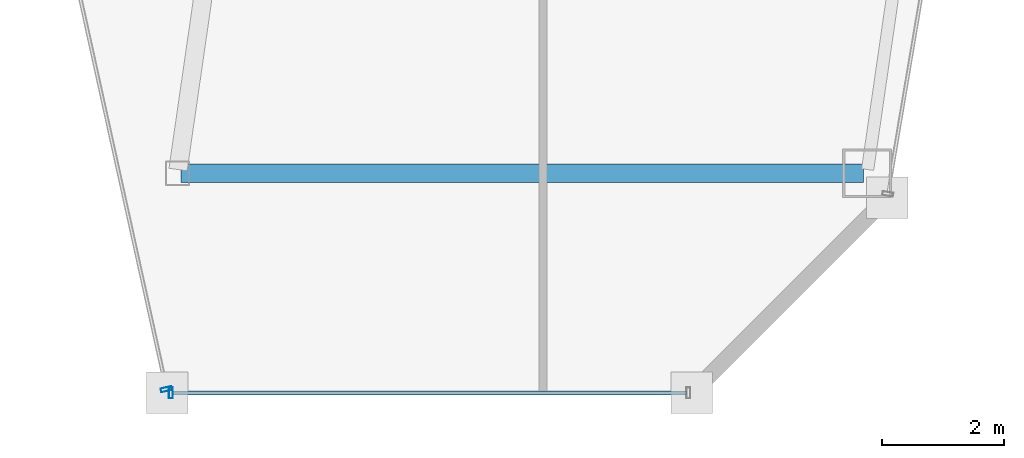
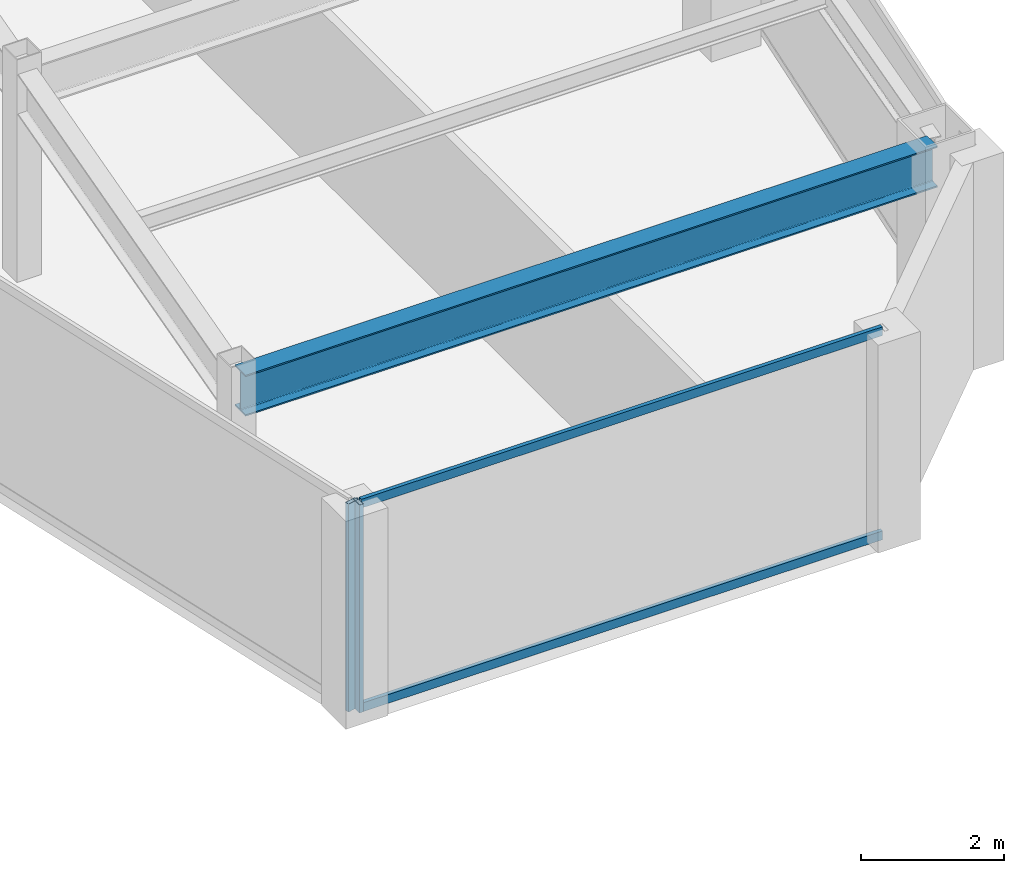
# One storey, part 16 of 35: 4 members, 1 beam, 2 elements without a shape of their own.
"""IFC4 building model written with IfcOpenShell, lengths in metres."""

from ifc_helpers import new_model, si_unit, direction, frame, origin, origin_2d, place, context, subcontext, project, spatial, hollow_rectangle, i_section, extrude, material, material_profile, profile_set, type_object, element, aggregate, save


model = new_model("IFC4")

# Units and contexts
model_context = context("Model", 3, precision=1e-05, world=origin(), true_north=direction((0.0, 1.0)))
body_context = subcontext(model_context, "Body", "Model", "MODEL_VIEW")
ifc_project = project(units=[si_unit("LENGTHUNIT", "METRE"), si_unit("AREAUNIT", "SQUARE_METRE"), si_unit("VOLUMEUNIT", "CUBIC_METRE"), si_unit("PLANEANGLEUNIT", "RADIAN"), si_unit("MASSUNIT", "GRAM", prefix="KILO")], contexts=[model_context])

# Site, building, storey
site_placement = place(None, origin())
site = spatial("IfcSite", under=ifc_project, at=site_placement, CompositionType="ELEMENT")
building_placement = place(site_placement, origin())
building = spatial("IfcBuilding", under=site, at=building_placement, Name="Saevonmaru Cultural Tower", CompositionType="ELEMENT")
storey_placement = place(building_placement, frame((0.0, 0.0, 217.0)))
storey = spatial("IfcBuildingStorey", under=building, at=storey_placement, Name="L50", CompositionType="ELEMENT", Elevation=217.0)

# Beam
ifc_material_1 = material(Name="Steel SM355", Category="steel")
ifc_material_profile_1 = material_profile(ifc_material_1, i_section(OverallWidth=0.300048828125, OverallDepth=0.699951171875, WebThickness=0.012939453125, FlangeThickness=0.02392578125, FilletRadius=0.02587890625, at=origin_2d()), Name="H-700x300x13x24")
ifc_profile_set_1 = profile_set([ifc_material_profile_1], Name="Steel SM355")
beam_type = type_object("IfcBeamType", Name="BM-G-H700", PredefinedType="BEAM", material=ifc_profile_set_1)
beam_placement = place(storey_placement, frame((38.132080078125, 16.0, 3.199951171875), z_axis=(1.0, 0.0, 0.0), x_axis=(0.0, 1.0, 0.0)))
element("IfcBeam", 1, at=beam_placement, inside=storey, type_object=beam_type, Name="L50 East Wing Transverse Girder 1", PredefinedType="BEAM", context=body_context, shape_type="SweptSolid", body=[
    extrude(i_section(OverallWidth=0.300048828125, OverallDepth=0.699951171875, WebThickness=0.012939453125, FlangeThickness=0.02392578125, FilletRadius=0.02587890625, at=origin_2d()), origin(), (0.0, 0.0, 1.0), 11.179931640625),
])

# Curtain wall, member
ifc_material_2 = material(Name="Satin Bronze Anodised Aluminium", Category="aluminium")
curtain_wall_type = type_object("IfcCurtainWallType", Name="CW-TYP-B", PredefinedType="NOTDEFINED", material=ifc_material_2)
curtain_wall_1_placement = place(storey_placement, origin())
curtain_wall_1 = element("IfcCurtainWall", 2, at=curtain_wall_1_placement, inside=storey, type_object=curtain_wall_type, Name="L50 Unitised Curtain Wall E5", PredefinedType="NOTDEFINED")
ifc_material_profile_2 = material_profile(ifc_material_2, hollow_rectangle(XDim=0.06494140625, YDim=0.179931640625, WallThickness=0.00390625, at=origin_2d()), Name="ALU-MULL-180x65x4")
ifc_profile_set_2 = profile_set([ifc_material_profile_2], Name="Satin Bronze Anodised Aluminium")
member_type_1 = type_object("IfcMemberType", Name="ML-CW-180x65", PredefinedType="MULLION", material=ifc_profile_set_2)
member_1_placement = place(storey_placement, frame((37.889404296875, 12.45849609375, 0.0), z_axis=(0.0, 0.0, 1.0), x_axis=(0.215413319953, -0.976522965212, 0.0)))
member_1 = element("IfcMember", 3, at=member_1_placement, type_object=member_type_1, Name="CW-TW-L50-E5 mullion 2", PredefinedType="MULLION", context=body_context, shape_type="SweptSolid", body=[
    extrude(hollow_rectangle(XDim=0.06494140625, YDim=0.179931640625, WallThickness=0.00390625, at=origin_2d()), origin(), (0.0, 0.0, 1.0), 3.550048828125),
])
aggregate(curtain_wall_1, [member_1])

# Curtain wall, members
curtain_wall_2_placement = place(storey_placement, origin())
curtain_wall_2 = element("IfcCurtainWall", 4, at=curtain_wall_2_placement, inside=storey, type_object=curtain_wall_type, Name="L50 Unitised Curtain Wall E6", PredefinedType="NOTDEFINED")
member_2_placement = place(storey_placement, frame((37.962158203125, 12.39990234375, 0.0), z_axis=(0.0, 0.0, 1.0), x_axis=(1.0, 0.0, 0.0)))
member_2 = element("IfcMember", 5, at=member_2_placement, type_object=member_type_1, Name="CW-TW-L50-E6 mullion 1", PredefinedType="MULLION", context=body_context, shape_type="SweptSolid", body=[
    extrude(hollow_rectangle(XDim=0.06494140625, YDim=0.179931640625, WallThickness=0.00390625, at=origin_2d()), origin(), (0.0, 0.0, 1.0), 3.550048828125),
])
ifc_material_profile_3 = material_profile(ifc_material_2, hollow_rectangle(XDim=0.06494140625, YDim=0.14990234375, WallThickness=0.00390625, at=origin_2d()), Name="ALU-TRAN-150x65x4")
ifc_profile_set_3 = profile_set([ifc_material_profile_3], Name="Satin Bronze Anodised Aluminium")
member_type_2 = type_object("IfcMemberType", Name="TR-CW-150x65", PredefinedType="USERDEFINED", material=ifc_profile_set_3)
member_3_placement = place(storey_placement, frame((37.99462890625, 12.39990234375, 0.032470703125), z_axis=(1.0, 0.0, 0.0), x_axis=(0.0, 1.0, 0.0)))
member_3 = element("IfcMember", 6, at=member_3_placement, type_object=member_type_2, Name="CW-TW-L50-E6 transom 1.1", ObjectType="TRANSOM", PredefinedType="USERDEFINED", context=body_context, shape_type="SweptSolid", body=[
    extrude(hollow_rectangle(XDim=0.06494140625, YDim=0.14990234375, WallThickness=0.00390625, at=origin_2d()), origin(), (0.0, 0.0, 1.0), 8.4150390625),
])
member_4_placement = place(storey_placement, frame((37.99462890625, 12.39990234375, 3.517578125), z_axis=(1.0, 0.0, 0.0), x_axis=(0.0, 1.0, 0.0)))
member_4 = element("IfcMember", 7, at=member_4_placement, type_object=member_type_2, Name="CW-TW-L50-E6 transom 1.2", ObjectType="TRANSOM", PredefinedType="USERDEFINED", context=body_context, shape_type="SweptSolid", body=[
    extrude(hollow_rectangle(XDim=0.06494140625, YDim=0.14990234375, WallThickness=0.00390625, at=origin_2d()), origin(), (0.0, 0.0, 1.0), 8.4150390625),
])
aggregate(curtain_wall_2, [member_2, member_3, member_4])

save(model, "model.ifc")
